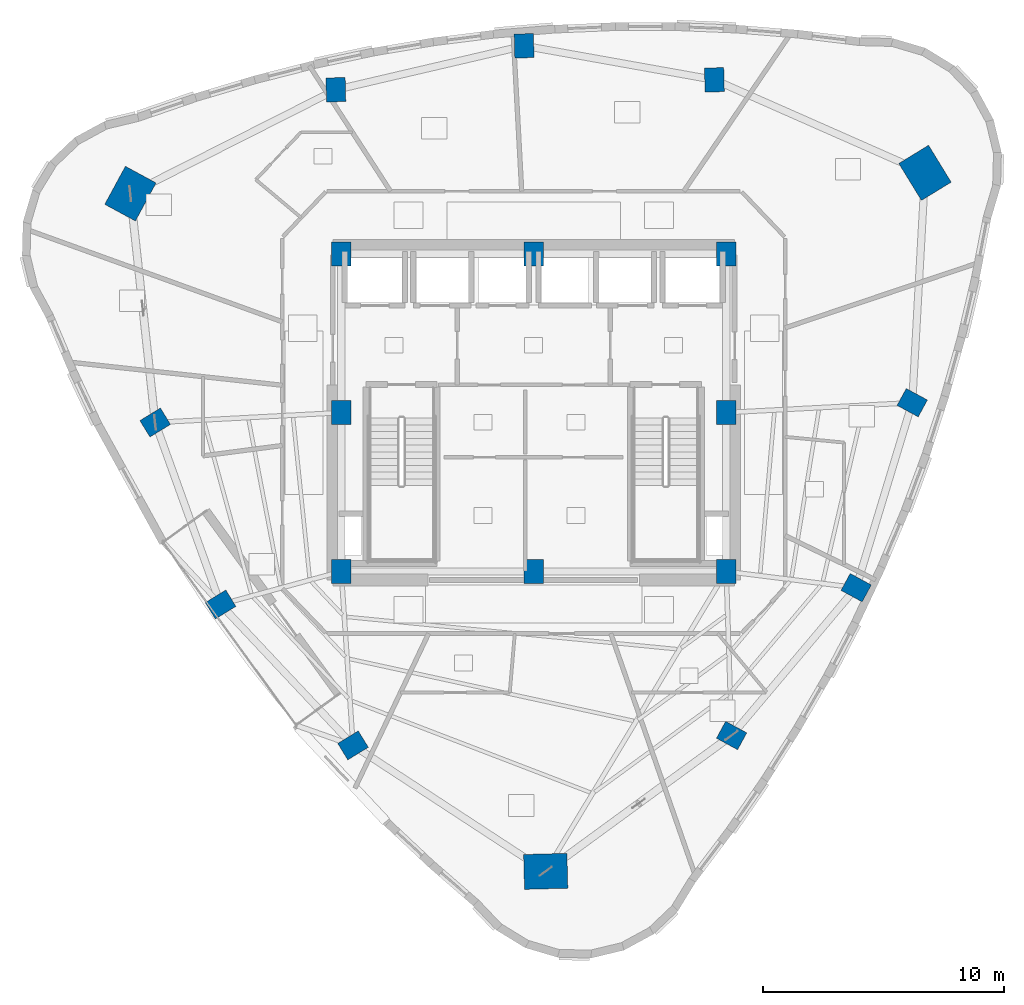
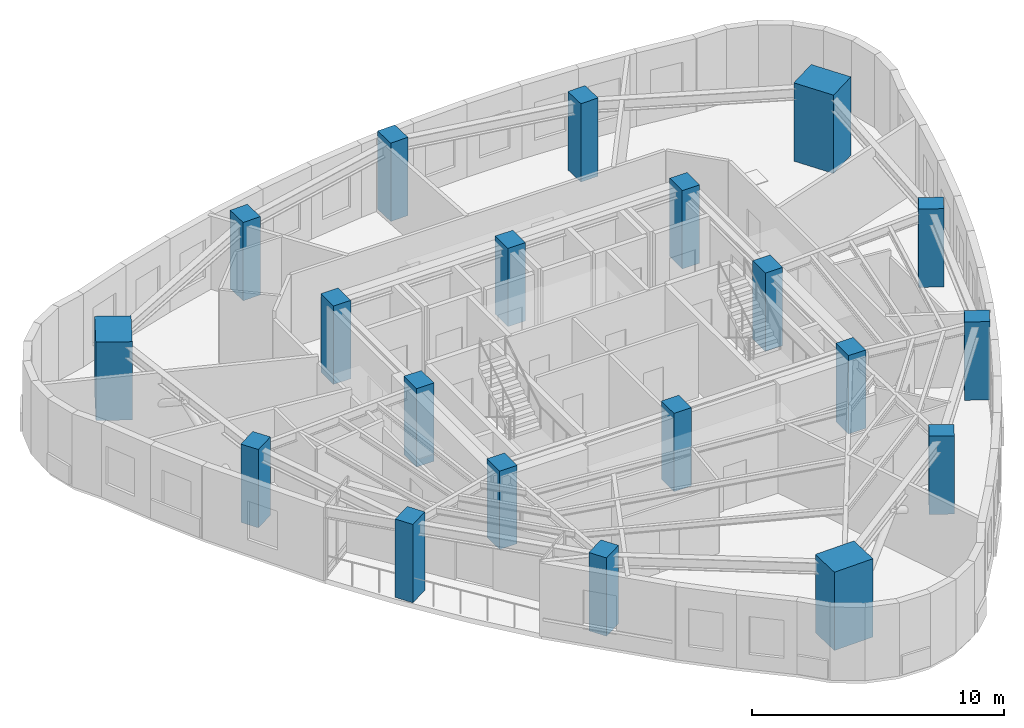
# One storey, part 1 of 13: 20 columns.
"""IFC4 building model written with IfcOpenShell, lengths in metres."""

from ifc_helpers import new_model, si_unit, direction, frame, origin, origin_2d, place, context, subcontext, project, spatial, rectangle, extrude, material, material_profile, profile_set, type_object, element, save


model = new_model("IFC4")

# Units and contexts
model_context = context("Model", 3, precision=1e-05, world=origin(), true_north=direction((0.0, 1.0)))
body_context = subcontext(model_context, "Body", "Model", "MODEL_VIEW")
ifc_project = project(units=[si_unit("LENGTHUNIT", "METRE"), si_unit("AREAUNIT", "SQUARE_METRE"), si_unit("VOLUMEUNIT", "CUBIC_METRE"), si_unit("PLANEANGLEUNIT", "RADIAN"), si_unit("MASSUNIT", "GRAM", prefix="KILO")], contexts=[model_context])

# Site, building, storey
site_placement = place(None, origin())
site = spatial("IfcSite", under=ifc_project, at=site_placement, CompositionType="ELEMENT")
building_placement = place(site_placement, origin())
building = spatial("IfcBuilding", under=site, at=building_placement, Name="Ndelora Gate Hotel", CompositionType="ELEMENT")
storey_placement = place(building_placement, frame((0.0, 0.0, 228.35009765625)))
storey = spatial("IfcBuildingStorey", under=building, at=storey_placement, Name="L57", CompositionType="ELEMENT", Elevation=228.35009765625)

# Columns
ifc_material = material(Name="Concrete C50/60", Category="concrete")
ifc_material_profile_1 = material_profile(ifc_material, rectangle(XDim=0.800048828125, YDim=1.0, at=origin_2d()), Name="RC 1000x800")
ifc_profile_set_1 = profile_set([ifc_material_profile_1], Name="Concrete C50/60")
column_type_1 = type_object("IfcColumnType", Name="COL-CC-HI", PredefinedType="COLUMN", material=ifc_profile_set_1)
for number, where, z_axis, x_axis, name in (
    (1, (-8.0, -6.60009765625, 0.0), (0.0, 0.0, 1.0), (1.0, 0.0, 0.0), "L57 Core Column CC1"),
    (2, (0.0, -6.60009765625, 0.0), (0.0, 0.0, 1.0), (1.0, 0.0, 0.0), "L57 Core Column CC2"),
    (3, (8.0, -6.60009765625, 0.0), (0.0, 0.0, 1.0), (1.0, 0.0, 0.0), "L57 Core Column CC3"),
    (4, (8.0, 0.0, 0.0), (0.0, 0.0, 1.0), (1.0, 0.0, 0.0), "L57 Core Column CC4"),
    (5, (8.0, 6.60009765625, 0.0), (0.0, 0.0, 1.0), (1.0, 0.0, 0.0), "L57 Core Column CC5"),
    (6, (0.0, 6.60009765625, 0.0), (0.0, 0.0, 1.0), (1.0, 0.0, 0.0), "L57 Core Column CC6"),
    (7, (-8.0, 6.60009765625, 0.0), (0.0, 0.0, 1.0), (1.0, 0.0, 0.0), "L57 Core Column CC7"),
    (8, (-8.0, 0.0, 0.0), (0.0, 0.0, 1.0), (1.0, 0.0, 0.0), "L57 Core Column CC8"),
):
    element("IfcColumn", number, at=place(storey_placement, frame(where, z_axis=z_axis, x_axis=x_axis)), inside=storey, type_object=column_type_1, Name=name, PredefinedType="COLUMN", context=body_context, shape_type="SweptSolid", body=[
        extrude(rectangle(XDim=0.800048828125, YDim=1.0, at=origin_2d()), origin(), (0.0, 0.0, 1.0), 3.7998046875),
    ])
ifc_material_profile_2 = material_profile(ifc_material, rectangle(XDim=1.449951171875, YDim=1.800048828125, at=origin_2d()), Name="RC 1800x1450")
ifc_profile_set_2 = profile_set([ifc_material_profile_2], Name="Concrete C50/60")
column_type_2 = type_object("IfcColumnType", Name="COL-MC-Z3", PredefinedType="COLUMN", material=ifc_profile_set_2)
for number, where, z_axis, x_axis, name in (
    (9, (-16.759521484375, 9.099609375, 0.0), (0.0, 0.0, 1.0), (-0.878817112662, 0.47715876026, 0.0), "L57 Corner Mega-Column R1"),
    (10, (0.499267578125, -19.064208984375, 0.0), (0.0, 0.0, 1.0), (-0.026176948308, 0.999657324976, 0.0), "L57 Corner Mega-Column R5"),
    (11, (16.26025390625, 9.96435546875, 0.0), (0.0, 0.0, 1.0), (0.852640164354, 0.522498564716, 0.0), "L57 Corner Mega-Column R9"),
):
    element("IfcColumn", number, at=place(storey_placement, frame(where, z_axis=z_axis, x_axis=x_axis)), inside=storey, type_object=column_type_2, Name=name, PredefinedType="COLUMN", context=body_context, shape_type="SweptSolid", body=[
        extrude(rectangle(XDim=1.449951171875, YDim=1.800048828125, at=origin_2d()), origin(), (0.0, 0.0, 1.0), 3.7998046875),
    ])
ifc_material_profile_3 = material_profile(ifc_material, rectangle(XDim=0.800048828125, YDim=1.0, at=origin_2d()), Name="RC 1000x800")
ifc_profile_set_3 = profile_set([ifc_material_profile_3], Name="Concrete C50/60")
column_type_3 = type_object("IfcColumnType", Name="COL-PT-Z3", PredefinedType="COLUMN", material=ifc_profile_set_3)
for number, where, z_axis, x_axis, name in (
    (12, (-15.72998046875, -0.411865234375, 0.0), (0.0, 0.0, 1.0), (-0.522498564716, 0.852640164354, 0.0), "L57 Perimeter Tube Column R2"),
    (13, (-13.011962890625, -7.973876953125, 0.0), (0.0, 0.0, 1.0), (-0.522498564716, 0.852640164354, 0.0), "L57 Perimeter Tube Column R3"),
    (14, (-7.50830078125, -13.828369140625, 0.0), (0.0, 0.0, 1.0), (-0.522498564716, 0.852640164354, 0.0), "L57 Perimeter Tube Column R4"),
    (15, (8.223876953125, -13.419921875, 0.0), (0.0, 0.0, 1.0), (0.47715876026, 0.878817112662, 0.0), "L57 Perimeter Tube Column R6"),
    (16, (13.400390625, -7.275634765625, 0.0), (0.0, 0.0, 1.0), (0.47715876026, 0.878817112662, 0.0), "L57 Perimeter Tube Column R7"),
    (17, (15.72998046875, 0.411865234375, 0.0), (0.0, 0.0, 1.0), (0.47715876026, 0.878817112662, 0.0), "L57 Perimeter Tube Column R8"),
    (18, (7.50830078125, 13.828369140625, 0.0), (0.0, 0.0, 1.0), (0.999657324976, 0.026176948308, 0.0), "L57 Perimeter Tube Column R10"),
    (19, (-0.399169921875, 15.242919921875, 0.0), (0.0, 0.0, 1.0), (0.999657324976, 0.026176948308, 0.0), "L57 Perimeter Tube Column R11"),
    (20, (-8.2216796875, 13.41650390625, 0.0), (0.0, 0.0, 1.0), (0.999657324976, 0.026176948308, 0.0), "L57 Perimeter Tube Column R12"),
):
    element("IfcColumn", number, at=place(storey_placement, frame(where, z_axis=z_axis, x_axis=x_axis)), inside=storey, type_object=column_type_3, Name=name, PredefinedType="COLUMN", context=body_context, shape_type="SweptSolid", body=[
        extrude(rectangle(XDim=0.800048828125, YDim=1.0, at=origin_2d()), origin(), (0.0, 0.0, 1.0), 3.7998046875),
    ])

save(model, "model.ifc")
